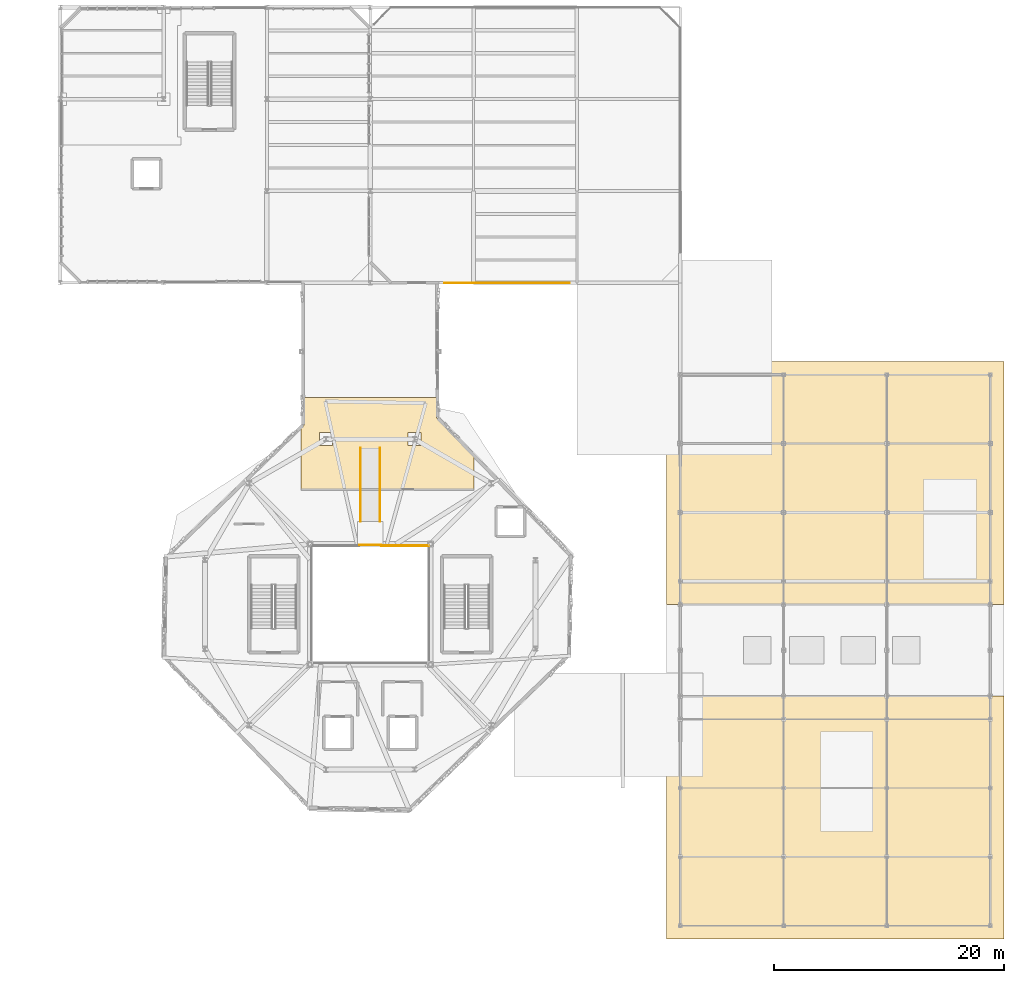
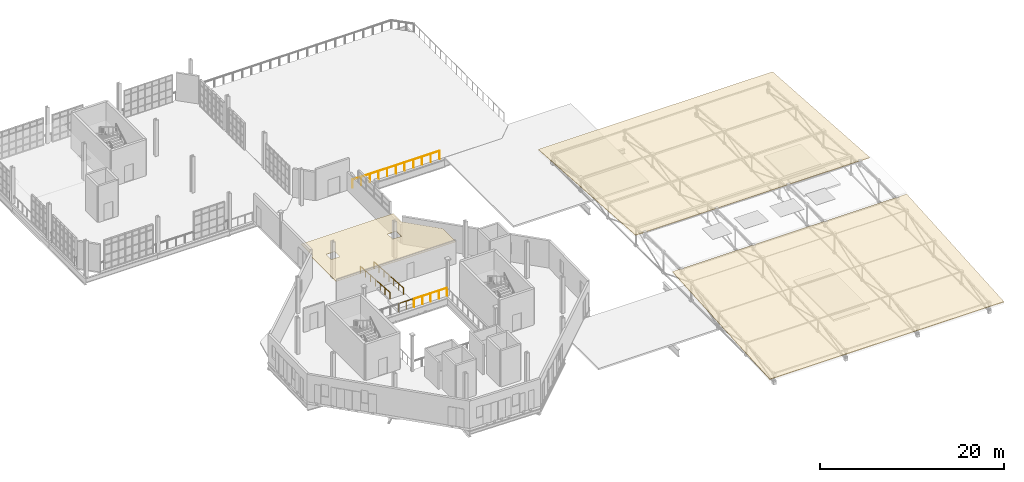
# One storey, part 83 of 85: 5 railings, 3 coverings.
"""IFC4 building model written with IfcOpenShell, lengths in metres."""

from ifc_helpers import new_model, si_unit, direction, frame, origin, origin_2d, place, context, subcontext, project, spatial, polyline, circle, outline, extrude, material, layer, layer_set, type_object, element, save


model = new_model("IFC4")

# Units and contexts
model_context = context("Model", 3, precision=1e-05, world=origin(), true_north=direction((0.0, 1.0)))
body_context = subcontext(model_context, "Body", "Model", "MODEL_VIEW")
ifc_project = project(units=[si_unit("LENGTHUNIT", "METRE"), si_unit("AREAUNIT", "SQUARE_METRE"), si_unit("VOLUMEUNIT", "CUBIC_METRE"), si_unit("PLANEANGLEUNIT", "RADIAN"), si_unit("MASSUNIT", "GRAM", prefix="KILO"), si_unit("THERMODYNAMICTEMPERATUREUNIT", "KELVIN"), si_unit("POWERUNIT", "WATT")], contexts=[model_context])

# Site, building, storey
site_placement = place(None, origin())
site = spatial("IfcSite", under=ifc_project, at=site_placement, CompositionType="ELEMENT")
building_placement = place(site_placement, origin())
building = spatial("IfcBuilding", under=site, at=building_placement, Name="Zelmaris Science Centre", CompositionType="ELEMENT")
storey_placement = place(building_placement, frame((0.0, 0.0, 20.39990234375)))
storey = spatial("IfcBuildingStorey", under=building, at=storey_placement, Name="L04", CompositionType="ELEMENT", Elevation=20.39990234375)

# Covering
ifc_material_1 = material(Name="Perforated mineral-fibre acoustic ceiling tile")
ifc_layer_1 = layer(ifc_material_1, 0.0400390625, Name="Perforated mineral-fibre acoustic ceiling tile")
ifc_layer_set_1 = layer_set([ifc_layer_1], Name="Perforated mineral-fibre acoustic ceiling tile")
covering_type_1 = type_object("IfcCoveringType", Name="Acoustic Ceiling CLG-01 40mm", PredefinedType="CEILING", material=ifc_layer_set_1)
covering_placement = place(storey_placement, frame((0.0, 0.0, 2.85009765625)))
element("IfcCovering", 1, at=covering_placement, inside=storey, type_object=covering_type_1, Name="L04 Satellite Earth Observation Studio acoustic ceiling", PredefinedType="CEILING", context=body_context, shape_type="SweptSolid", body=[
    extrude(outline(polyline([(90.02001953125, 45.998046875), (90.01953125, 45.99609375), (90.01904296875, 45.994140625), (90.0185546875, 45.9921875), (90.017578125, 45.990478515625), (90.0166015625, 45.989013671875), (90.015380859375, 45.9873046875), (90.01416015625, 45.98583984375), (90.0126953125, 45.984619140625), (90.010986328125, 45.9833984375), (90.009521484375, 45.982421875), (90.0078125, 45.9814453125), (90.005859375, 45.98095703125), (90.00390625, 45.98046875), (90.001953125, 45.97998046875), (90.0, 45.97998046875), (75.0, 45.97998046875), (74.998046875, 45.97998046875), (74.99609375, 45.98046875), (74.994140625, 45.98095703125), (74.9921875, 45.9814453125), (74.990478515625, 45.982421875), (74.989013671875, 45.9833984375), (74.9873046875, 45.984619140625), (74.98583984375, 45.98583984375), (74.984619140625, 45.9873046875), (74.9833984375, 45.989013671875), (74.982421875, 45.990478515625), (74.9814453125, 45.9921875), (74.98095703125, 45.994140625), (74.98046875, 45.99609375), (74.97998046875, 45.998046875), (74.97998046875, 46.0), (74.97998046875, 51.324951171875), (74.97998046875, 51.326904296875), (74.98046875, 51.328857421875), (74.98095703125, 51.330810546875), (74.981689453125, 51.332763671875), (74.982421875, 51.33447265625), (74.9833984375, 51.336181640625), (74.984619140625, 51.337890625), (74.986083984375, 51.339111328125), (75.175048828125, 51.5234375), (75.21142578125, 51.58251953125), (75.228759765625, 51.64990234375), (75.22998046875, 54.0), (75.22998046875, 54.001953125), (75.23046875, 54.00390625), (75.23095703125, 54.005859375), (75.2314453125, 54.0078125), (75.232421875, 54.009521484375), (75.2333984375, 54.010986328125), (75.234619140625, 54.0126953125), (75.23583984375, 54.01416015625), (75.2373046875, 54.015380859375), (75.239013671875, 54.0166015625), (75.240478515625, 54.017578125), (75.2421875, 54.0185546875), (75.244140625, 54.01904296875), (75.24609375, 54.01953125), (75.248046875, 54.02001953125), (75.25, 54.02001953125), (86.75, 54.02001953125), (86.751953125, 54.02001953125), (86.75390625, 54.01953125), (86.755859375, 54.01904296875), (86.7578125, 54.0185546875), (86.759521484375, 54.017578125), (86.760986328125, 54.0166015625), (86.7626953125, 54.015380859375), (86.76416015625, 54.01416015625), (86.765380859375, 54.0126953125), (86.7666015625, 54.010986328125), (86.767578125, 54.009521484375), (86.7685546875, 54.0078125), (86.76904296875, 54.005859375), (86.76953125, 54.00390625), (86.77001953125, 54.001953125), (86.77001953125, 54.0), (86.77001953125, 52.321533203125), (86.77978515625, 52.2548828125), (86.80712890625, 52.1953125), (90.014404296875, 48.867431640625), (90.015625, 48.865966796875), (90.016845703125, 48.864501953125), (90.017578125, 48.86279296875), (90.0185546875, 48.861083984375), (90.019287109375, 48.859375), (90.01953125, 48.857421875), (90.02001953125, 48.85546875), (90.02001953125, 48.853515625), (90.02001953125, 46.0), (90.02001953125, 45.998046875)]), holes=[polyline([(84.306396484375, 50.9423828125), (84.306396484375, 49.84228515625), (85.406494140625, 49.84228515625), (85.406494140625, 50.9423828125), (84.306396484375, 50.9423828125)]), polyline([(76.593505859375, 49.84228515625), (77.693603515625, 49.84228515625), (77.693603515625, 50.9423828125), (76.593505859375, 50.9423828125), (76.593505859375, 49.84228515625)])]), origin(), (0.0, 0.0, 1.0), 0.0400390625),
])

# Railings
ifc_material_2 = material(Name="Architectural bronze alloy C28000")
railing_type_1 = type_object("IfcRailingType", Name="Balustrade GD-01 H1120", PredefinedType="BALUSTRADE", material=ifc_material_2)
railing_1_placement = place(storey_placement, frame((98.3505859375, 64.0, 0.0)))
element("IfcRailing", 2, at=railing_1_placement, inside=storey, type_object=railing_type_1, Name="L04 Terrace safety balustrade 39", PredefinedType="BALUSTRADE", context=body_context, shape_type="SweptSolid", body=[
    extrude(circle(Radius=0.02392578125, at=origin_2d()), frame((0.0, 0.0, 1.09619140625), z_axis=(-1.0, 0.0, 0.0), x_axis=(0.0, -1.0, 0.0)), (0.0, 0.0, 1.0), 10.900634765625),
    extrude(circle(Radius=0.02099609375, at=origin_2d()), origin(), (0.0, 0.0, 1.0), 1.072021484375),
    extrude(circle(Radius=0.02099609375, at=origin_2d()), frame((-1.090087890625, 0.0, 0.0)), (0.0, 0.0, 1.0), 1.072021484375),
    extrude(circle(Radius=0.02099609375, at=origin_2d()), frame((-2.18017578125, 0.0, 0.0)), (0.0, 0.0, 1.0), 1.072021484375),
    extrude(circle(Radius=0.02099609375, at=origin_2d()), frame((-3.270263671875, 0.0, 0.0)), (0.0, 0.0, 1.0), 1.072021484375),
    extrude(circle(Radius=0.02099609375, at=origin_2d()), frame((-4.3603515625, 0.0, 0.0)), (0.0, 0.0, 1.0), 1.072021484375),
    extrude(circle(Radius=0.02099609375, at=origin_2d()), frame((-5.4501953125, 0.0, 0.0)), (0.0, 0.0, 1.0), 1.072021484375),
    extrude(circle(Radius=0.02099609375, at=origin_2d()), frame((-6.540283203125, 0.0, 0.0)), (0.0, 0.0, 1.0), 1.072021484375),
    extrude(circle(Radius=0.02099609375, at=origin_2d()), frame((-7.63037109375, 0.0, 0.0)), (0.0, 0.0, 1.0), 1.072021484375),
    extrude(circle(Radius=0.02099609375, at=origin_2d()), frame((-8.720458984375, 0.0, 0.0)), (0.0, 0.0, 1.0), 1.072021484375),
    extrude(circle(Radius=0.02099609375, at=origin_2d()), frame((-9.810546875, 0.0, 0.0)), (0.0, 0.0, 1.0), 1.072021484375),
    extrude(circle(Radius=0.02099609375, at=origin_2d()), frame((-10.900634765625, 0.0, 0.0)), (0.0, 0.0, 1.0), 1.072021484375),
])
railing_2_placement = place(storey_placement, frame((86.10009765625, 41.10009765625, 0.0)))
element("IfcRailing", 3, at=railing_2_placement, inside=storey, type_object=railing_type_1, Name="L04 Atrium void balustrade 43", PredefinedType="BALUSTRADE", context=body_context, shape_type="SweptSolid", body=[
    extrude(circle(Radius=0.02392578125, at=origin_2d()), frame((0.0, 0.0, 1.09619140625), z_axis=(-1.0, 0.0, 0.0), x_axis=(0.0, -1.0, 0.0)), (0.0, 0.0, 1.0), 4.150146484375),
    extrude(circle(Radius=0.02099609375, at=origin_2d()), origin(), (0.0, 0.0, 1.0), 1.072021484375),
    extrude(circle(Radius=0.02099609375, at=origin_2d()), frame((-1.03759765625, 0.0, 0.0)), (0.0, 0.0, 1.0), 1.072021484375),
    extrude(circle(Radius=0.02099609375, at=origin_2d()), frame((-2.0751953125, 0.0, 0.0)), (0.0, 0.0, 1.0), 1.072021484375),
    extrude(circle(Radius=0.02099609375, at=origin_2d()), frame((-3.112548828125, 0.0, 0.0)), (0.0, 0.0, 1.0), 1.072021484375),
    extrude(circle(Radius=0.02099609375, at=origin_2d()), frame((-4.150146484375, 0.0, 0.0)), (0.0, 0.0, 1.0), 1.072021484375),
])
railing_3_placement = place(storey_placement, frame((81.949951171875, 41.159912109375, 0.0)))
element("IfcRailing", 4, at=railing_3_placement, inside=storey, type_object=railing_type_1, Name="L04 Perimeter safety balustrade 277", PredefinedType="BALUSTRADE", context=body_context, shape_type="SweptSolid", body=[
    extrude(circle(Radius=0.02392578125, at=origin_2d()), frame((0.0, 0.0, 1.09619140625), z_axis=(-1.0, 0.0, 0.0), x_axis=(0.0, -1.0, 0.0)), (0.0, 0.0, 1.0), 1.89990234375),
    extrude(circle(Radius=0.02099609375, at=origin_2d()), origin(), (0.0, 0.0, 1.0), 1.072021484375),
    extrude(circle(Radius=0.02099609375, at=origin_2d()), frame((-0.949951171875, 0.0, 0.0)), (0.0, 0.0, 1.0), 1.072021484375),
    extrude(circle(Radius=0.02099609375, at=origin_2d()), frame((-1.89990234375, 0.0, 0.0)), (0.0, 0.0, 1.0), 1.072021484375),
])
railing_type_2 = type_object("IfcRailingType", Name="Handrail HR-01 H900", PredefinedType="HANDRAIL", material=ifc_material_2)
for number, where, name in (
    (5, (80.14990234375, 49.60009765625, 0.0), "L04 Atrium overlook ramp handrail 1"),
    (6, (81.85009765625, 49.60009765625, 0.0), "L04 Atrium overlook ramp handrail 2"),
):
    element("IfcRailing", number, at=place(storey_placement, frame(where)), inside=storey, type_object=railing_type_2, Name=name, PredefinedType="HANDRAIL", context=body_context, shape_type="SweptSolid", body=[
        extrude(circle(Radius=0.02392578125, at=origin_2d()), frame((0.0, 0.0, 0.8759765625), z_axis=(0.0, -0.997852016313, 0.065508423425), x_axis=(1.0, 0.0, 0.0)), (0.0, 0.0, 1.0), 6.413818359375),
        extrude(circle(Radius=0.02099609375, at=origin_2d()), origin(), (0.0, 0.0, 1.0), 0.851806640625),
        extrude(circle(Radius=0.02099609375, at=origin_2d()), frame((0.0, -1.066650390625, 0.070068359375)), (0.0, 0.0, 1.0), 0.851806640625),
        extrude(circle(Radius=0.02099609375, at=origin_2d()), frame((0.0, -2.13330078125, 0.14013671875)), (0.0, 0.0, 1.0), 0.851806640625),
        extrude(circle(Radius=0.02099609375, at=origin_2d()), frame((0.0, -3.2001953125, 0.2099609375)), (0.0, 0.0, 1.0), 0.851806640625),
        extrude(circle(Radius=0.02099609375, at=origin_2d()), frame((0.0, -4.266845703125, 0.280029296875)), (0.0, 0.0, 1.0), 0.851806640625),
        extrude(circle(Radius=0.02099609375, at=origin_2d()), frame((0.0, -5.33349609375, 0.35009765625)), (0.0, 0.0, 1.0), 0.851806640625),
        extrude(circle(Radius=0.02099609375, at=origin_2d()), frame((0.0, -6.400146484375, 0.420166015625)), (0.0, 0.0, 1.0), 0.851806640625),
    ])

# Coverings
ifc_material_3 = material(Name="Standing-seam aluminium-zinc roofing membrane", Category="aluminium")
ifc_layer_2 = layer(ifc_material_3, 0.080078125, Name="Standing-seam aluminium-zinc roofing membrane")
ifc_layer_set_2 = layer_set([ifc_layer_2], Name="Standing-seam aluminium-zinc roofing membrane")
covering_type_2 = type_object("IfcCoveringType", Name="Roofing Membrane RFG-01 80mm", PredefinedType="ROOFING", material=ifc_layer_set_2)
for number, where, z_axis, x_axis, name in (
    (7, (106.800048828125, 6.85009765625, 2.5009765625), (0.0, -0.06859024724, 0.997644915781), (1.0, 0.0, 0.0), "RF-V4 Standing-seam roofing S"),
    (8, (106.800048828125, 36.0, 3.955078125), (0.0, 0.06859024724, 0.997644915781), (1.0, 0.0, 0.0), "RF-V4 Standing-seam roofing N"),
):
    element("IfcCovering", number, at=place(storey_placement, frame(where, z_axis=z_axis, x_axis=x_axis)), inside=storey, type_object=covering_type_2, Name=name, PredefinedType="ROOFING", context=body_context, shape_type="SweptSolid", body=[
        extrude(outline(polyline([(0.0, 0.0), (29.39990234375, 0.0), (29.39990234375, 21.199829728189485), (0.0, 21.199829728189485), (0.0, 0.0)])), origin(), (0.0, 0.0, -1.0), 0.080078125),
    ])

save(model, "model.ifc")
